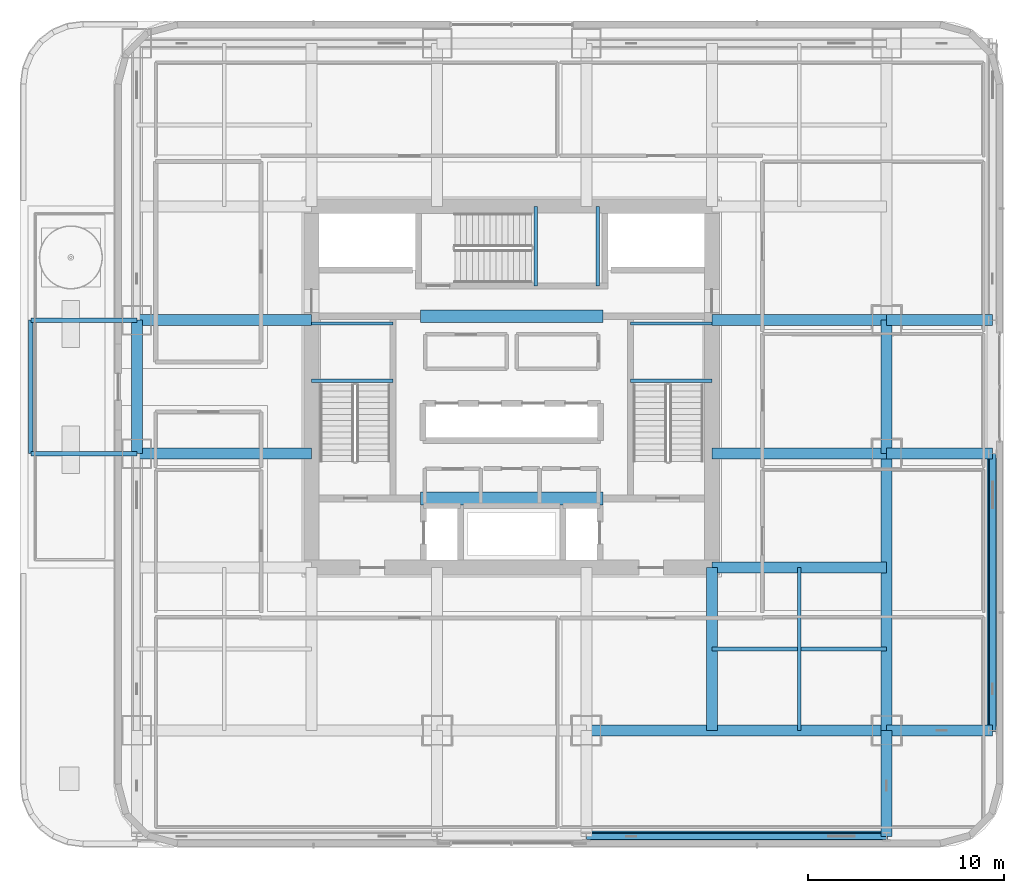
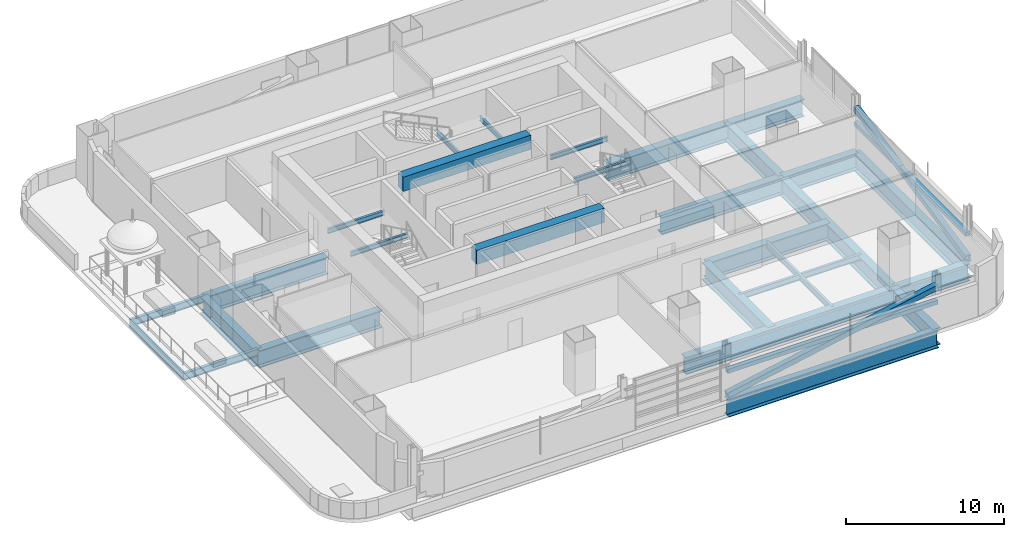
# One storey, part 3 of 27: 29 beams, 4 members.
"""IFC4 building model written with IfcOpenShell, lengths in metres."""

from ifc_helpers import new_model, si_unit, direction, frame, origin, origin_2d, place, context, subcontext, project, spatial, rectangle, hollow_rectangle, i_section, extrude, material, material_profile, profile_set, type_object, element, save


model = new_model("IFC4")

# Units and contexts
model_context = context("Model", 3, precision=1e-05, world=origin(), true_north=direction((0.0, 1.0)))
body_context = subcontext(model_context, "Body", "Model", "MODEL_VIEW")
ifc_project = project(units=[si_unit("LENGTHUNIT", "METRE"), si_unit("AREAUNIT", "SQUARE_METRE"), si_unit("VOLUMEUNIT", "CUBIC_METRE"), si_unit("PLANEANGLEUNIT", "RADIAN"), si_unit("MASSUNIT", "GRAM", prefix="KILO")], contexts=[model_context])

# Site, building, storey
site_placement = place(None, origin())
site = spatial("IfcSite", under=ifc_project, at=site_placement, CompositionType="ELEMENT")
building_placement = place(site_placement, origin())
building = spatial("IfcBuilding", under=site, at=building_placement, Name="Punatoya Terracotta Tower", CompositionType="ELEMENT")
storey_placement = place(building_placement, frame((0.0, 0.0, 60.60009765625)))
storey = spatial("IfcBuildingStorey", under=building, at=storey_placement, Name="L13", CompositionType="ELEMENT", Elevation=60.60009765625)

# Beams
ifc_material_1 = material(Name="Concrete C60/75", Category="concrete")
ifc_material_profile_1 = material_profile(ifc_material_1, rectangle(XDim=0.64990234375, YDim=1.10009765625, at=origin_2d()))
ifc_profile_set_1 = profile_set([ifc_material_profile_1], Name="Concrete C60/75")
beam_type_1 = type_object("IfcBeamType", Name="BM-RC-1100", PredefinedType="LINTEL", material=ifc_profile_set_1)
for number, where, z_axis, x_axis, name in (
    (1, (-4.64990234375, -5.679931640625, 3.260009765625), (1.0, 0.0, 0.0), (0.0, 1.0, 0.0), "L13 Core Coupling Lintel CSW"),
    (2, (-4.64990234375, 3.60009765625, 3.260009765625), (1.0, 0.0, 0.0), (0.0, 1.0, 0.0), "L13 Core Coupling Lintel CNW"),
):
    element("IfcBeam", number, at=place(storey_placement, frame(where, z_axis=z_axis, x_axis=x_axis)), inside=storey, type_object=beam_type_1, Name=name, PredefinedType="LINTEL", context=body_context, shape_type="SweptSolid", body=[
        extrude(rectangle(XDim=0.64990234375, YDim=1.10009765625, at=origin_2d()), origin(), (0.0, 0.0, 1.0), 9.2998046875),
    ])
ifc_material_2 = material(Name="Steel S355", Category="steel")
ifc_material_profile_2 = material_profile(ifc_material_2, i_section(OverallWidth=0.169921875, OverallDepth=0.360107421875, WebThickness=0.008056640625, FlangeThickness=0.0126953125, FilletRadius=0.01806640625, at=origin_2d()))
ifc_profile_set_2 = profile_set([ifc_material_profile_2], Name="Steel S355")
beam_type_2 = type_object("IfcBeamType", Name="BM-SEC-360", PredefinedType="JOIST", material=ifc_profile_set_2)
for number, where, z_axis, x_axis, name in (
    (3, (-10.199951171875, 0.320068359375, 1.64501953125), (1.0, 0.0, 0.0), (0.0, 1.0, 0.0), "BM-L13-ST-1-LD1A"),
    (4, (-10.199951171875, 3.22998046875, 1.64501953125), (1.0, 0.0, 0.0), (0.0, 1.0, 0.0), "BM-L13-ST-1-LD1B"),
    (5, (6.050048828125, 0.320068359375, 1.64501953125), (1.0, 0.0, 0.0), (0.0, 1.0, 0.0), "BM-L13-ST-2-LD1A"),
    (6, (6.050048828125, 3.22998046875, 1.64501953125), (1.0, 0.0, 0.0), (0.0, 1.0, 0.0), "BM-L13-ST-2-LD1B"),
):
    element("IfcBeam", number, at=place(storey_placement, frame(where, z_axis=z_axis, x_axis=x_axis)), inside=storey, type_object=beam_type_2, Name=name, PredefinedType="JOIST", context=body_context, shape_type="SweptSolid", body=[
        extrude(i_section(OverallWidth=0.169921875, OverallDepth=0.360107421875, WebThickness=0.008056640625, FlangeThickness=0.0126953125, FilletRadius=0.01806640625, at=origin_2d()), origin(), (0.0, 0.0, 1.0), 4.14990234375),
    ])
for number, where, z_axis, x_axis, name in (
    (7, (1.219970703125, 5.14990234375, 1.64501953125), (0.0, 1.0, 0.0), (-1.0, 0.0, 0.0), "BM-L13-ST-3-LD1A"),
    (8, (4.3798828125, 5.14990234375, 1.64501953125), (0.0, 1.0, 0.0), (-1.0, 0.0, 0.0), "BM-L13-ST-3-LD1B"),
):
    element("IfcBeam", number, at=place(storey_placement, frame(where, z_axis=z_axis, x_axis=x_axis)), inside=storey, type_object=beam_type_2, Name=name, PredefinedType="JOIST", context=body_context, shape_type="SweptSolid", body=[
        extrude(i_section(OverallWidth=0.169921875, OverallDepth=0.360107421875, WebThickness=0.008056640625, FlangeThickness=0.0126953125, FilletRadius=0.01806640625, at=origin_2d()), origin(), (0.0, 0.0, 1.0), 4.050048828125),
    ])
ifc_material_profile_3 = material_profile(ifc_material_2, i_section(OverallWidth=0.18994140625, OverallDepth=0.449951171875, WebThickness=0.009521484375, FlangeThickness=0.0146484375, FilletRadius=0.01806640625, at=origin_2d()))
ifc_profile_set_3 = profile_set([ifc_material_profile_3], Name="Steel S355")
beam_type_3 = type_object("IfcBeamType", Name="BM-SEC-450", PredefinedType="JOIST", material=ifc_profile_set_3)
beam_1_placement = place(storey_placement, frame((10.199951171875, -13.35009765625, -0.505126953125), z_axis=(1.0, 0.0, 0.0), x_axis=(0.0, 1.0, 0.0)))
element("IfcBeam", 9, at=beam_1_placement, inside=storey, type_object=beam_type_3, Name="BM-L13-SJS-2", PredefinedType="JOIST", context=body_context, shape_type="SweptSolid", body=[
    extrude(i_section(OverallWidth=0.18994140625, OverallDepth=0.449951171875, WebThickness=0.009521484375, FlangeThickness=0.0146484375, FilletRadius=0.01806640625, at=origin_2d()), origin(), (0.0, 0.0, 1.0), 8.900146484375),
])
beam_2_placement = place(storey_placement, frame((14.64990234375, -17.5, -0.505126953125), z_axis=(0.0, 1.0, 0.0), x_axis=(-1.0, 0.0, 0.0)))
element("IfcBeam", 10, at=beam_2_placement, inside=storey, type_object=beam_type_3, Name="BM-L13-SJE-1", PredefinedType="JOIST", context=body_context, shape_type="SweptSolid", body=[
    extrude(i_section(OverallWidth=0.18994140625, OverallDepth=0.449951171875, WebThickness=0.009521484375, FlangeThickness=0.0146484375, FilletRadius=0.01806640625, at=origin_2d()), origin(), (0.0, 0.0, 1.0), 8.300048828125),
])
ifc_material_profile_4 = material_profile(ifc_material_2, i_section(OverallWidth=0.2099609375, OverallDepth=0.550048828125, WebThickness=0.010986328125, FlangeThickness=0.01708984375, FilletRadius=0.01806640625, at=origin_2d()))
ifc_profile_set_4 = profile_set([ifc_material_profile_4], Name="Steel S355")
beam_type_4 = type_object("IfcBeamType", Name="BM-SPN-550", PredefinedType="SPANDREL", material=ifc_profile_set_4)
for number, where, z_axis, x_axis, name in (
    (11, (-24.5, -3.39990234375, -0.505126953125), (1.0, 0.0, 0.0), (0.0, 1.0, 0.0), "BM-L13-TERW-1--3"),
    (12, (-24.5, 3.39990234375, -0.505126953125), (1.0, 0.0, 0.0), (0.0, 1.0, 0.0), "BM-L13-TERW-1-3"),
):
    element("IfcBeam", number, at=place(storey_placement, frame(where, z_axis=z_axis, x_axis=x_axis)), inside=storey, type_object=beam_type_4, Name=name, PredefinedType="SPANDREL", context=body_context, shape_type="SweptSolid", body=[
        extrude(i_section(OverallWidth=0.2099609375, OverallDepth=0.550048828125, WebThickness=0.010986328125, FlangeThickness=0.01708984375, FilletRadius=0.01806640625, at=origin_2d()), origin(), (0.0, 0.0, 1.0), 5.39990234375),
    ])
beam_3_placement = place(storey_placement, frame((-24.5, -3.39990234375, -0.505126953125), z_axis=(0.0, 1.0, 0.0), x_axis=(-1.0, 0.0, 0.0)))
element("IfcBeam", 13, at=beam_3_placement, inside=storey, type_object=beam_type_4, Name="BM-L13-TERE-1", PredefinedType="SPANDREL", context=body_context, shape_type="SweptSolid", body=[
    extrude(i_section(OverallWidth=0.2099609375, OverallDepth=0.550048828125, WebThickness=0.010986328125, FlangeThickness=0.01708984375, FilletRadius=0.01806640625, at=origin_2d()), origin(), (0.0, 0.0, 1.0), 6.7998046875),
])
ifc_material_3 = material(Name="Steel S460", Category="steel")
ifc_material_profile_5 = material_profile(ifc_material_3, i_section(OverallWidth=0.56005859375, OverallDepth=1.320068359375, WebThickness=0.035888671875, FlangeThickness=0.054931640625, FilletRadius=0.01806640625, at=origin_2d()))
ifc_profile_set_5 = profile_set([ifc_material_profile_5], Name="Steel S460")
beam_type_5 = type_object("IfcBeamType", Name="BM-TG-BLK", PredefinedType="BEAM", material=ifc_profile_set_5)
beam_4_placement = place(storey_placement, frame((3.800048828125, -17.5, -0.940185546875), z_axis=(1.0, 0.0, 0.0), x_axis=(0.0, 1.0, 0.0)))
element("IfcBeam", 14, at=beam_4_placement, inside=storey, type_object=beam_type_5, Name="BM-L13-RG-S3", PredefinedType="BEAM", context=body_context, shape_type="SweptSolid", body=[
    extrude(i_section(OverallWidth=0.56005859375, OverallDepth=1.320068359375, WebThickness=0.035888671875, FlangeThickness=0.054931640625, FilletRadius=0.01806640625, at=origin_2d()), origin(), (0.0, 0.0, 1.0), 15.300048828125),
])
beam_5_placement = place(storey_placement, frame((-19.10009765625, -3.39990234375, -0.940185546875), z_axis=(0.0, 1.0, 0.0), x_axis=(-1.0, 0.0, 0.0)))
element("IfcBeam", 15, at=beam_5_placement, inside=storey, type_object=beam_type_5, Name="BM-L13-RG-W2", PredefinedType="BEAM", context=body_context, shape_type="SweptSolid", body=[
    extrude(i_section(OverallWidth=0.56005859375, OverallDepth=1.320068359375, WebThickness=0.035888671875, FlangeThickness=0.054931640625, FilletRadius=0.01806640625, at=origin_2d()), origin(), (0.0, 0.0, 1.0), 6.7998046875),
])
beam_6_placement = place(storey_placement, frame((19.10009765625, -17.5, -0.940185546875), z_axis=(0.0, 1.0, 0.0), x_axis=(-1.0, 0.0, 0.0)))
element("IfcBeam", 16, at=beam_6_placement, inside=storey, type_object=beam_type_5, Name="BM-L13-RG-E1", PredefinedType="BEAM", context=body_context, shape_type="SweptSolid", body=[
    extrude(i_section(OverallWidth=0.56005859375, OverallDepth=1.320068359375, WebThickness=0.035888671875, FlangeThickness=0.054931640625, FilletRadius=0.01806640625, at=origin_2d()), origin(), (0.0, 0.0, 1.0), 14.10009765625),
])
beam_7_placement = place(storey_placement, frame((19.10009765625, -3.39990234375, -0.940185546875), z_axis=(0.0, 1.0, 0.0), x_axis=(-1.0, 0.0, 0.0)))
element("IfcBeam", 17, at=beam_7_placement, inside=storey, type_object=beam_type_5, Name="BM-L13-RG-E2", PredefinedType="BEAM", context=body_context, shape_type="SweptSolid", body=[
    extrude(i_section(OverallWidth=0.56005859375, OverallDepth=1.320068359375, WebThickness=0.035888671875, FlangeThickness=0.054931640625, FilletRadius=0.01806640625, at=origin_2d()), origin(), (0.0, 0.0, 1.0), 6.7998046875),
])
for number, where, z_axis, x_axis, name in (
    (18, (-19.10009765625, -3.39990234375, -0.940185546875), (1.0, 0.0, 0.0), (0.0, 1.0, 0.0), "BM-L13-PR-WD"),
    (19, (-19.10009765625, 3.39990234375, -0.940185546875), (1.0, 0.0, 0.0), (0.0, 1.0, 0.0), "BM-L13-PR-WE"),
    (20, (10.199951171875, -9.199951171875, -0.940185546875), (1.0, 0.0, 0.0), (0.0, 1.0, 0.0), "BM-L13-PR-ES"),
    (21, (10.199951171875, -3.39990234375, -0.940185546875), (1.0, 0.0, 0.0), (0.0, 1.0, 0.0), "BM-L13-PR-ED"),
    (22, (10.199951171875, 3.39990234375, -0.940185546875), (1.0, 0.0, 0.0), (0.0, 1.0, 0.0), "BM-L13-PR-EE"),
):
    element("IfcBeam", number, at=place(storey_placement, frame(where, z_axis=z_axis, x_axis=x_axis)), inside=storey, type_object=beam_type_5, Name=name, PredefinedType="BEAM", context=body_context, shape_type="SweptSolid", body=[
        extrude(i_section(OverallWidth=0.56005859375, OverallDepth=1.320068359375, WebThickness=0.035888671875, FlangeThickness=0.054931640625, FilletRadius=0.01806640625, at=origin_2d()), origin(), (0.0, 0.0, 1.0), 8.900146484375),
    ])
beam_8_placement = place(storey_placement, frame((10.199951171875, -17.5, -0.940185546875), z_axis=(0.0, 1.0, 0.0), x_axis=(-1.0, 0.0, 0.0)))
element("IfcBeam", 23, at=beam_8_placement, inside=storey, type_object=beam_type_5, Name="BM-L13-PR-S4", PredefinedType="BEAM", context=body_context, shape_type="SweptSolid", body=[
    extrude(i_section(OverallWidth=0.56005859375, OverallDepth=1.320068359375, WebThickness=0.035888671875, FlangeThickness=0.054931640625, FilletRadius=0.01806640625, at=origin_2d()), origin(), (0.0, 0.0, 1.0), 8.300048828125),
])
for number, where, z_axis, x_axis, name in (
    (24, (19.10009765625, -17.5, -0.940185546875), (1.0, 0.0, 0.0), (0.0, 1.0, 0.0), "BM-L13-CANT-E1"),
    (25, (19.10009765625, -3.39990234375, -0.940185546875), (1.0, 0.0, 0.0), (0.0, 1.0, 0.0), "BM-L13-CANT-E2"),
    (26, (19.10009765625, 3.39990234375, -0.940185546875), (1.0, 0.0, 0.0), (0.0, 1.0, 0.0), "BM-L13-CANT-E3"),
    (27, (19.10009765625, -22.89990234375, -0.940185546875), (0.0, 1.0, 0.0), (-1.0, 0.0, 0.0), "BM-L13-CANT-S4"),
):
    element("IfcBeam", number, at=place(storey_placement, frame(where, z_axis=z_axis, x_axis=x_axis)), inside=storey, type_object=beam_type_5, Name=name, PredefinedType="BEAM", context=body_context, shape_type="SweptSolid", body=[
        extrude(i_section(OverallWidth=0.56005859375, OverallDepth=1.320068359375, WebThickness=0.035888671875, FlangeThickness=0.054931640625, FilletRadius=0.01806640625, at=origin_2d()), origin(), (0.0, 0.0, 1.0), 5.39990234375),
    ])
beam_9_placement = place(storey_placement, frame((3.800048828125, -22.89990234375, -0.940185546875), z_axis=(1.0, 0.0, 0.0), x_axis=(0.0, 1.0, 0.0)))
element("IfcBeam", 28, at=beam_9_placement, inside=storey, type_object=beam_type_5, Name="BM-L13-PER-S3", PredefinedType="BEAM", context=body_context, shape_type="SweptSolid", body=[
    extrude(i_section(OverallWidth=0.56005859375, OverallDepth=1.320068359375, WebThickness=0.035888671875, FlangeThickness=0.054931640625, FilletRadius=0.01806640625, at=origin_2d()), origin(), (0.0, 0.0, 1.0), 15.300048828125),
])
beam_10_placement = place(storey_placement, frame((24.5, -17.5, -0.940185546875), z_axis=(0.0, 1.0, 0.0), x_axis=(-1.0, 0.0, 0.0)))
element("IfcBeam", 29, at=beam_10_placement, inside=storey, type_object=beam_type_5, Name="BM-L13-PER-E1", PredefinedType="BEAM", context=body_context, shape_type="SweptSolid", body=[
    extrude(i_section(OverallWidth=0.56005859375, OverallDepth=1.320068359375, WebThickness=0.035888671875, FlangeThickness=0.054931640625, FilletRadius=0.01806640625, at=origin_2d()), origin(), (0.0, 0.0, 1.0), 14.10009765625),
])

# Members
ifc_material_profile_6 = material_profile(ifc_material_3, hollow_rectangle(XDim=0.320068359375, YDim=0.320068359375, WallThickness=0.01806640625, at=origin_2d()))
ifc_profile_set_6 = profile_set([ifc_material_profile_6], Name="Steel S460")
member_type_1 = type_object("IfcMemberType", Name="MEM-CHD-320", PredefinedType="CHORD", material=ifc_profile_set_6)
member_1_placement = place(storey_placement, frame((3.800048828125, -22.89990234375, 1.849853515625), z_axis=(1.0, 0.0, 0.0), x_axis=(0.0, 1.0, 0.0)))
element("IfcMember", 30, at=member_1_placement, inside=storey, type_object=member_type_1, Name="L13 Exoskeleton Belt Truss Tie Chord S3", PredefinedType="CHORD", context=body_context, shape_type="SweptSolid", body=[
    extrude(hollow_rectangle(XDim=0.320068359375, YDim=0.320068359375, WallThickness=0.01806640625, at=origin_2d()), origin(), (0.0, 0.0, 1.0), 15.300048828125),
])
member_2_placement = place(storey_placement, frame((24.5, -17.5, 1.849853515625), z_axis=(0.0, 1.0, 0.0), x_axis=(-1.0, 0.0, 0.0)))
element("IfcMember", 31, at=member_2_placement, inside=storey, type_object=member_type_1, Name="L13 Exoskeleton Belt Truss Tie Chord E1", PredefinedType="CHORD", context=body_context, shape_type="SweptSolid", body=[
    extrude(hollow_rectangle(XDim=0.320068359375, YDim=0.320068359375, WallThickness=0.01806640625, at=origin_2d()), origin(), (0.0, 0.0, 1.0), 14.10009765625),
])
ifc_material_profile_7 = material_profile(ifc_material_3, hollow_rectangle(XDim=0.39990234375, YDim=0.39990234375, WallThickness=0.02197265625, at=origin_2d()))
ifc_profile_set_7 = profile_set([ifc_material_profile_7], Name="Steel S460")
member_type_2 = type_object("IfcMemberType", Name="MEM-EXO-400", PredefinedType="BRACE", material=ifc_profile_set_7)
member_3_placement = place(storey_placement, frame((3.800048828125, -22.89990234375, 0.02001953125), z_axis=(0.981434908309, 0.0, 0.191795518072), x_axis=(0.0, 1.0, 0.0)))
element("IfcMember", 32, at=member_3_placement, inside=storey, type_object=member_type_2, Name="L13 Exoskeleton Belt Brace S3", PredefinedType="BRACE", context=body_context, shape_type="SweptSolid", body=[
    extrude(hollow_rectangle(XDim=0.39990234375, YDim=0.39990234375, WallThickness=0.02197265625, at=origin_2d()), origin(), (0.0, 0.0, 1.0), 15.58935546875),
])
member_4_placement = place(storey_placement, frame((24.5, -17.5, 0.02001953125), z_axis=(0.0, 0.978247355132, 0.207441828415), x_axis=(-1.0, 0.0, 0.0)))
element("IfcMember", 33, at=member_4_placement, inside=storey, type_object=member_type_2, Name="L13 Exoskeleton Belt Brace E1", PredefinedType="BRACE", context=body_context, shape_type="SweptSolid", body=[
    extrude(hollow_rectangle(XDim=0.39990234375, YDim=0.39990234375, WallThickness=0.02197265625, at=origin_2d()), origin(), (0.0, 0.0, 1.0), 14.41357421875),
])

save(model, "model.ifc")
